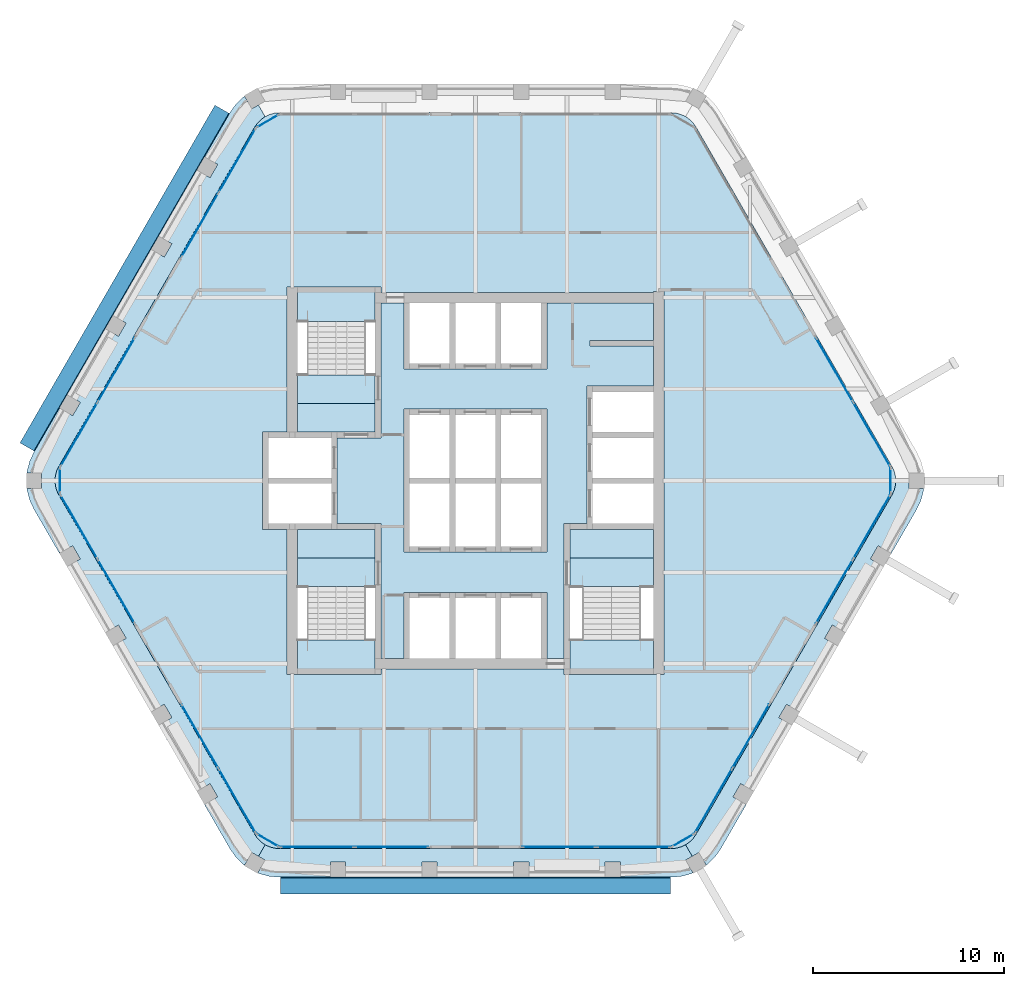
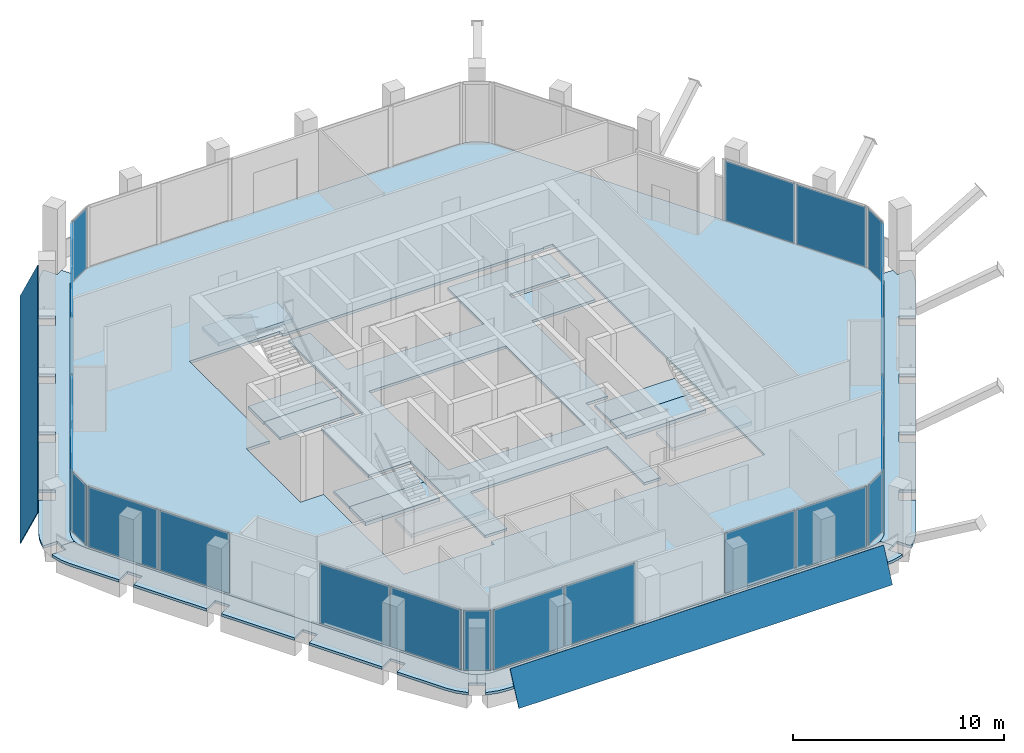
# One storey, part 6 of 14: 25 plates, 15 slabs, 17 elements without a shape of their own.
"""IFC4 building model written with IfcOpenShell, lengths in metres."""

from ifc_helpers import new_model, si_unit, direction, frame, origin, origin_2d, place, context, subcontext, project, spatial, polyline, rectangle, outline, extrude, material, layer, layer_set, type_object, element, aggregate, save


model = new_model("IFC4")

# Units and contexts
model_context = context("Model", 3, precision=1e-05, world=origin(), true_north=direction((0.0, 1.0)))
body_context = subcontext(model_context, "Body", "Model", "MODEL_VIEW")
ifc_project = project(units=[si_unit("LENGTHUNIT", "METRE"), si_unit("AREAUNIT", "SQUARE_METRE"), si_unit("VOLUMEUNIT", "CUBIC_METRE"), si_unit("PLANEANGLEUNIT", "RADIAN"), si_unit("MASSUNIT", "GRAM", prefix="KILO")], contexts=[model_context])

# Site, building, storey
site_placement = place(None, origin())
site = spatial("IfcSite", under=ifc_project, at=site_placement, CompositionType="ELEMENT")
building_placement = place(site_placement, origin())
building = spatial("IfcBuilding", under=site, at=building_placement, Name="Kolab Exchange Tower", CompositionType="ELEMENT")
storey_placement = place(building_placement, frame((0.0, 0.0, 281.300048828125)))
storey = spatial("IfcBuildingStorey", under=building, at=storey_placement, Name="L63", CompositionType="ELEMENT", Elevation=281.300048828125)

# Slabs
ifc_material_1 = material(Name="Concrete C35/45", Category="concrete")
ifc_layer_1 = layer(ifc_material_1, 0.14990234375)
ifc_layer_set_1 = layer_set([ifc_layer_1], Name="Concrete C35/45")
slab_type_1 = type_object("IfcSlabType", Name="FLOOR SLAB 150", PredefinedType="FLOOR", material=ifc_layer_set_1)
slab_1_placement = place(storey_placement, frame((0.0, 0.0, -0.150146484375)))
element("IfcSlab", 1, at=slab_1_placement, inside=storey, type_object=slab_type_1, Name="slab/L63/floor/0", PredefinedType="FLOOR", context=body_context, shape_type="SweptSolid", body=[
    extrude(outline(polyline([(11.56689453125, -18.53466796875), (21.8349609375, -0.75), (21.945556640625, -0.512939453125), (22.01318359375, -0.260498046875), (22.035888671875, 0.0), (22.01318359375, 0.260498046875), (21.945556640625, 0.512939453125), (21.8349609375, 0.75), (11.56689453125, 18.53466796875), (11.4169921875, 18.748779296875), (11.232177734375, 18.93359375), (11.01806640625, 19.083740234375), (10.781005859375, 19.194091796875), (10.5283203125, 19.26171875), (10.26806640625, 19.28466796875), (-10.26806640625, 19.28466796875), (-10.5283203125, 19.26171875), (-10.781005859375, 19.194091796875), (-11.01806640625, 19.083740234375), (-11.232177734375, 18.93359375), (-11.4169921875, 18.748779296875), (-11.56689453125, 18.53466796875), (-21.8349609375, 0.75), (-21.945556640625, 0.512939453125), (-22.01318359375, 0.260498046875), (-22.035888671875, 0.0), (-22.01318359375, -0.260498046875), (-21.945556640625, -0.512939453125), (-21.8349609375, -0.75), (-11.56689453125, -18.53466796875), (-11.4169921875, -18.748779296875), (-11.232177734375, -18.93359375), (-11.01806640625, -19.083740234375), (-10.781005859375, -19.194091796875), (-10.5283203125, -19.26171875), (-10.26806640625, -19.28466796875), (10.26806640625, -19.28466796875), (10.5283203125, -19.26171875), (10.781005859375, -19.194091796875), (11.01806640625, -19.083740234375), (11.232177734375, -18.93359375), (11.4169921875, -18.748779296875), (11.56689453125, -18.53466796875)]), holes=[polyline([(-9.324951171875, -10.14990234375), (-9.875, -10.14990234375), (-9.875, -2.550048828125), (-10.85009765625, -2.550048828125), (-11.14990234375, -2.550048828125), (-11.14990234375, 2.550048828125), (-10.85009765625, 2.550048828125), (-9.875, 2.550048828125), (-9.875, 10.14990234375), (-9.324951171875, 10.14990234375), (-5.25, 10.14990234375), (-4.949951171875, 10.14990234375), (-4.949951171875, 9.875), (9.324951171875, 9.875), (9.324951171875, 9.925048828125), (9.875, 9.925048828125), (9.875, -10.14990234375), (9.324951171875, -10.14990234375), (4.949951171875, -10.14990234375), (4.64990234375, -10.14990234375), (4.64990234375, -9.875), (-4.949951171875, -9.875), (-4.949951171875, -10.14990234375), (-5.25, -10.14990234375), (-9.324951171875, -10.14990234375)])]), origin(), (0.0, 0.0, 1.0), 0.150146484375),
])
slab_2_placement = place(storey_placement, frame((0.0, 0.0, -0.150146484375)))
element("IfcSlab", 2, at=slab_2_placement, inside=storey, type_object=slab_type_1, Name="slab/L63/floor/1", PredefinedType="FLOOR", context=body_context, shape_type="SweptSolid", body=[
    extrude(outline(polyline([(-4.949951171875, 9.324951171875), (-4.949951171875, 2.25), (-5.25, 2.25), (-7.25, 2.25), (-7.25, -2.25), (-5.25, -2.25), (-4.949951171875, -2.25), (-4.949951171875, -9.324951171875), (-3.75, -9.324951171875), (-3.75, -5.85009765625), (-3.449951171875, -5.85009765625), (-1.35009765625, -5.85009765625), (-1.050048828125, -5.85009765625), (1.050048828125, -5.85009765625), (1.35009765625, -5.85009765625), (3.449951171875, -5.85009765625), (3.75, -5.85009765625), (3.75, -9.324951171875), (4.64990234375, -9.324951171875), (4.64990234375, -2.25), (4.949951171875, -2.25), (5.85009765625, -2.25), (5.85009765625, 4.949951171875), (6.14990234375, 4.949951171875), (9.324951171875, 4.949951171875), (9.324951171875, 7.050048828125), (6.0, 7.050048828125), (6.0, 7.35009765625), (9.324951171875, 7.35009765625), (9.324951171875, 9.324951171875), (3.75, 9.324951171875), (3.75, 5.85009765625), (3.449951171875, 5.85009765625), (1.35009765625, 5.85009765625), (1.050048828125, 5.85009765625), (-1.050048828125, 5.85009765625), (-1.35009765625, 5.85009765625), (-3.449951171875, 5.85009765625), (-3.75, 5.85009765625), (-3.75, 9.324951171875), (-4.949951171875, 9.324951171875)]), holes=[polyline([(-3.449951171875, -3.75), (-3.75, -3.75), (-3.75, 3.75), (-3.449951171875, 3.75), (-1.35009765625, 3.75), (-1.050048828125, 3.75), (1.050048828125, 3.75), (1.35009765625, 3.75), (3.449951171875, 3.75), (3.75, 3.75), (3.75, -3.75), (3.449951171875, -3.75), (1.35009765625, -3.75), (1.050048828125, -3.75), (-1.050048828125, -3.75), (-1.35009765625, -3.75), (-3.449951171875, -3.75)])]), origin(), (0.0, 0.0, 1.0), 0.150146484375),
])
slab_3_placement = place(storey_placement, frame((0.0, 0.0, -0.150146484375)))
element("IfcSlab", 3, at=slab_3_placement, inside=storey, type_object=slab_type_1, Name="slab/L63/floor/2", PredefinedType="FLOOR", context=body_context, shape_type="SweptSolid", body=[
    extrude(outline(polyline([(4.949951171875, -2.550048828125), (4.949951171875, -4.050048828125), (9.324951171875, -4.050048828125), (9.324951171875, -2.550048828125), (6.14990234375, -2.550048828125), (5.85009765625, -2.550048828125), (4.949951171875, -2.550048828125)])), origin(), (0.0, 0.0, 1.0), 0.150146484375),
])
slab_4_placement = place(storey_placement, frame((0.0, 0.0, -0.150146484375)))
element("IfcSlab", 4, at=slab_4_placement, inside=storey, type_object=slab_type_1, Name="slab/L63/floor/3", PredefinedType="FLOOR", context=body_context, shape_type="SweptSolid", body=[
    extrude(outline(polyline([(-7.550048828125, -2.550048828125), (-9.324951171875, -2.550048828125), (-9.324951171875, -4.050048828125), (-5.25, -4.050048828125), (-5.25, -2.550048828125), (-7.25, -2.550048828125), (-7.550048828125, -2.550048828125)])), origin(), (0.0, 0.0, 1.0), 0.150146484375),
])
slab_5_placement = place(storey_placement, frame((0.0, 0.0, -0.150146484375)))
element("IfcSlab", 5, at=slab_5_placement, inside=storey, type_object=slab_type_1, Name="slab/L63/floor/4", PredefinedType="FLOOR", context=body_context, shape_type="SweptSolid", body=[
    extrude(outline(polyline([(-9.324951171875, 4.050048828125), (-9.324951171875, 2.550048828125), (-7.550048828125, 2.550048828125), (-7.25, 2.550048828125), (-5.25, 2.550048828125), (-5.25, 4.050048828125), (-9.324951171875, 4.050048828125)])), origin(), (0.0, 0.0, 1.0), 0.150146484375),
])
ifc_layer_2 = layer(ifc_material_1, 0.14990234375)
ifc_layer_set_2 = layer_set([ifc_layer_2], Name="Concrete C35/45")
slab_type_2 = type_object("IfcSlabType", Name="LOGGIA SLAB 150", PredefinedType="FLOOR", material=ifc_layer_set_2)
slab_6_placement = place(storey_placement, frame((0.0, 0.0, -0.150146484375)))
element("IfcSlab", 6, at=slab_6_placement, inside=storey, type_object=slab_type_2, Name="slab/L63/loggia/2-0", PredefinedType="FLOOR", context=body_context, shape_type="SweptSolid", body=[
    extrude(outline(polyline([(12.865966796875, -19.28466796875), (14.199951171875, -16.97412109375), (13.507080078125, -16.57421875), (13.9072265625, -15.88134765625), (14.60009765625, -16.28125), (16.60009765625, -12.817138671875), (15.9072265625, -12.417236328125), (16.30712890625, -11.724365234375), (17.0, -12.124267578125), (19.0, -8.66015625), (18.30712890625, -8.26025390625), (18.707275390625, -7.5673828125), (19.39990234375, -7.967529296875), (21.39990234375, -4.50341796875), (20.707275390625, -4.103271484375), (21.107177734375, -3.410400390625), (21.800048828125, -3.810546875), (23.134033203125, -1.5), (23.35498046875, -1.026123046875), (23.490234375, -0.52099609375), (23.5009765625, -0.39990234375), (22.73583984375, -0.39990234375), (22.73583984375, 0.0), (22.035888671875, 0.0), (22.01318359375, -0.260498046875), (21.945556640625, -0.512939453125), (21.8349609375, -0.75), (11.56689453125, -18.53466796875), (11.4169921875, -18.748779296875), (11.232177734375, -18.93359375), (11.01806640625, -19.083740234375), (11.367919921875, -19.68994140625), (11.71435546875, -19.48974609375), (12.096923828125, -20.15234375), (12.1962890625, -20.082763671875), (12.566162109375, -19.712890625), (12.865966796875, -19.28466796875)])), origin(), (0.0, 0.0, 1.0), 0.150146484375),
])
slab_7_placement = place(storey_placement, frame((0.0, 0.0, -0.150146484375)))
element("IfcSlab", 7, at=slab_7_placement, inside=storey, type_object=slab_type_2, Name="slab/L63/loggia/3-0", PredefinedType="FLOOR", context=body_context, shape_type="SweptSolid", body=[
    extrude(outline(polyline([(-11.01806640625, -19.083740234375), (-11.367919921875, -19.68994140625), (-11.021484375, -19.889892578125), (-11.404052734375, -20.552490234375), (-11.2939453125, -20.603759765625), (-10.788818359375, -20.739013671875), (-10.26806640625, -20.78466796875), (-7.60009765625, -20.78466796875), (-7.60009765625, -19.984619140625), (-6.800048828125, -19.984619140625), (-6.800048828125, -20.78466796875), (-2.800048828125, -20.78466796875), (-2.800048828125, -19.984619140625), (-2.0, -19.984619140625), (-2.0, -20.78466796875), (2.0, -20.78466796875), (2.0, -19.984619140625), (2.800048828125, -19.984619140625), (2.800048828125, -20.78466796875), (6.800048828125, -20.78466796875), (6.800048828125, -19.984619140625), (7.60009765625, -19.984619140625), (7.60009765625, -20.78466796875), (10.26806640625, -20.78466796875), (10.788818359375, -20.739013671875), (11.2939453125, -20.603759765625), (11.404052734375, -20.552490234375), (11.021484375, -19.889892578125), (11.367919921875, -19.68994140625), (11.01806640625, -19.083740234375), (10.781005859375, -19.194091796875), (10.5283203125, -19.26171875), (10.26806640625, -19.28466796875), (-10.26806640625, -19.28466796875), (-10.5283203125, -19.26171875), (-10.781005859375, -19.194091796875), (-11.01806640625, -19.083740234375)])), origin(), (0.0, 0.0, 1.0), 0.150146484375),
])
slab_8_placement = place(storey_placement, frame((0.0, 0.0, -0.150146484375)))
element("IfcSlab", 8, at=slab_8_placement, inside=storey, type_object=slab_type_2, Name="slab/L63/loggia/4-0", PredefinedType="FLOOR", context=body_context, shape_type="SweptSolid", body=[
    extrude(outline(polyline([(-22.035888671875, 0.0), (-22.73583984375, 0.0), (-22.73583984375, -0.39990234375), (-23.5009765625, -0.39990234375), (-23.490234375, -0.52099609375), (-23.35498046875, -1.026123046875), (-23.134033203125, -1.5), (-21.800048828125, -3.810546875), (-21.107177734375, -3.410400390625), (-20.707275390625, -4.103271484375), (-21.39990234375, -4.50341796875), (-19.39990234375, -7.967529296875), (-18.707275390625, -7.5673828125), (-18.30712890625, -8.26025390625), (-19.0, -8.66015625), (-17.0, -12.124267578125), (-16.30712890625, -11.724365234375), (-15.9072265625, -12.417236328125), (-16.60009765625, -12.817138671875), (-14.60009765625, -16.28125), (-13.9072265625, -15.88134765625), (-13.507080078125, -16.57421875), (-14.199951171875, -16.97412109375), (-12.865966796875, -19.28466796875), (-12.566162109375, -19.712890625), (-12.1962890625, -20.082763671875), (-12.096923828125, -20.15234375), (-11.71435546875, -19.48974609375), (-11.367919921875, -19.68994140625), (-11.01806640625, -19.083740234375), (-11.232177734375, -18.93359375), (-11.4169921875, -18.748779296875), (-11.56689453125, -18.53466796875), (-21.8349609375, -0.75), (-21.945556640625, -0.512939453125), (-22.01318359375, -0.260498046875), (-22.035888671875, 0.0)])), origin(), (0.0, 0.0, 1.0), 0.150146484375),
])
slab_9_placement = place(storey_placement, frame((0.0, 0.0, -0.150146484375)))
element("IfcSlab", 9, at=slab_9_placement, inside=storey, type_object=slab_type_2, Name="slab/L63/loggia/5-0", PredefinedType="FLOOR", context=body_context, shape_type="SweptSolid", body=[
    extrude(outline(polyline([(-11.01806640625, 19.083740234375), (-11.367919921875, 19.68994140625), (-11.71435546875, 19.48974609375), (-12.096923828125, 20.15234375), (-12.1962890625, 20.082763671875), (-12.566162109375, 19.712890625), (-12.865966796875, 19.28466796875), (-14.199951171875, 16.97412109375), (-13.507080078125, 16.57421875), (-13.9072265625, 15.88134765625), (-14.60009765625, 16.28125), (-16.60009765625, 12.817138671875), (-15.9072265625, 12.417236328125), (-16.30712890625, 11.724365234375), (-17.0, 12.124267578125), (-19.0, 8.66015625), (-18.30712890625, 8.26025390625), (-18.707275390625, 7.5673828125), (-19.39990234375, 7.967529296875), (-21.39990234375, 4.50341796875), (-20.707275390625, 4.103271484375), (-21.107177734375, 3.410400390625), (-21.800048828125, 3.810546875), (-23.134033203125, 1.5), (-23.35498046875, 1.026123046875), (-23.490234375, 0.52099609375), (-23.5009765625, 0.39990234375), (-22.73583984375, 0.39990234375), (-22.73583984375, 0.0), (-22.035888671875, 0.0), (-22.01318359375, 0.260498046875), (-21.945556640625, 0.512939453125), (-21.8349609375, 0.75), (-11.56689453125, 18.53466796875), (-11.4169921875, 18.748779296875), (-11.232177734375, 18.93359375), (-11.01806640625, 19.083740234375)])), origin(), (0.0, 0.0, 1.0), 0.150146484375),
])

# Plates
ifc_material_2 = material(Name="Laminated glass, clear", Category="glass")
ifc_layer_3 = layer(ifc_material_2, 0.0400390625)
ifc_layer_set_3 = layer_set([ifc_layer_3], Name="Laminated glass, clear")
plate_type_1 = type_object("IfcPlateType", Name="OUTER SKIN LAMINATED GLASS SHEET 40", PredefinedType="SHEET", material=ifc_layer_set_3)
plate_1_placement = place(storey_placement, frame((10.218017578125, -21.66015625, -0.68310546875), z_axis=(0.0, -0.906311853188, 0.422609541742), x_axis=(-1.0, 0.0, 0.0)))
element("IfcPlate", 10, at=plate_1_placement, inside=storey, type_object=plate_type_1, Name="Outer skin", PredefinedType="SHEET", context=body_context, shape_type="SweptSolid", body=[
    extrude(outline(polyline([(0.0, 0.0), (20.43603515625, 0.0), (20.43603515625, -1.9861252192534886), (0.0, -1.9861252192534886), (0.0, 0.0)])), origin(), (0.0, 0.0, -1.0), 0.0400390625),
])
plate_2_placement = place(storey_placement, frame((-23.8671875, 1.981201171875, -0.68310546875), z_axis=(-0.784886322863, 0.453152182031, 0.422618693508), x_axis=(0.499997422494, 0.866026891901, -1.981408e-06)))
element("IfcPlate", 11, at=plate_2_placement, inside=storey, type_object=plate_type_1, Name="Outer skin", PredefinedType="SHEET", context=body_context, shape_type="SweptSolid", body=[
    extrude(outline(polyline([(0.0, 0.0), (20.435802623779963, 0.0), (20.435870369896403, -1.9861792489881698), (-5.4323566790471804e-05, -1.9860898935068518), (0.0, 0.0)])), origin(), (0.0, 0.0, -1.0), 0.0400390625),
])

# Stair, slabs
ifc_material_3 = material(Name="Concrete C50/60", Category="concrete")
stair_type_1 = type_object("IfcStairType", Name="STAIR ST1 RISER 177.3", PredefinedType="HALF_TURN_STAIR", material=ifc_material_3)
stair_1_placement = place(storey_placement, origin())
stair_1 = element("IfcStair", 12, at=stair_1_placement, inside=storey, type_object=stair_type_1, Name="Stair 1", PredefinedType="HALF_TURN_STAIR")
ifc_layer_4 = layer(ifc_material_3, 0.199951171875)
ifc_layer_set_4 = layer_set([ifc_layer_4], Name="Concrete C50/60")
slab_type_3 = type_object("IfcSlabType", Name="STAIR LANDING 200", PredefinedType="LANDING", material=ifc_layer_set_4)
slab_10_placement = place(storey_placement, frame((0.0, 0.0, -0.199951171875)))
slab_10 = element("IfcSlab", 13, at=slab_10_placement, type_object=slab_type_3, Name="ST1 landing 1", PredefinedType="LANDING", context=body_context, shape_type="SweptSolid", body=[
    extrude(outline(polyline([(-9.324951171875, 4.050048828125), (-5.25, 4.050048828125), (-5.25, 5.550048828125), (-9.324951171875, 5.550048828125), (-9.324951171875, 4.050048828125)])), origin(), (0.0, 0.0, 1.0), 0.199951171875),
])
slab_11_placement = place(storey_placement, frame((0.0, 0.0, 1.75)))
slab_11 = element("IfcSlab", 14, at=slab_11_placement, type_object=slab_type_3, Name="ST1 landing 2", PredefinedType="LANDING", context=body_context, shape_type="SweptSolid", body=[
    extrude(outline(polyline([(-9.324951171875, 8.35009765625), (-5.25, 8.35009765625), (-5.25, 9.909912109375), (-9.324951171875, 9.909912109375), (-9.324951171875, 8.35009765625)])), origin(), (0.0, 0.0, 1.0), 0.199951171875),
])
aggregate(stair_1, [slab_10, slab_11])

stair_type_2 = type_object("IfcStairType", Name="STAIR ST3 RISER 177.3", PredefinedType="HALF_TURN_STAIR", material=ifc_material_3)
stair_2_placement = place(storey_placement, origin())
stair_2 = element("IfcStair", 15, at=stair_2_placement, inside=storey, type_object=stair_type_2, Name="Stair 3", PredefinedType="HALF_TURN_STAIR")
slab_12_placement = place(storey_placement, frame((0.0, 0.0, -0.199951171875)))
slab_12 = element("IfcSlab", 16, at=slab_12_placement, type_object=slab_type_3, Name="ST3 landing 1", PredefinedType="LANDING", context=body_context, shape_type="SweptSolid", body=[
    extrude(outline(polyline([(-9.324951171875, -5.550048828125), (-5.25, -5.550048828125), (-5.25, -4.050048828125), (-9.324951171875, -4.050048828125), (-9.324951171875, -5.550048828125)])), origin(), (0.0, 0.0, 1.0), 0.199951171875),
])
slab_13_placement = place(storey_placement, frame((0.0, 0.0, 1.75)))
slab_13 = element("IfcSlab", 17, at=slab_13_placement, type_object=slab_type_3, Name="ST3 landing 2", PredefinedType="LANDING", context=body_context, shape_type="SweptSolid", body=[
    extrude(outline(polyline([(-9.324951171875, -9.909912109375), (-5.25, -9.909912109375), (-5.25, -8.35009765625), (-9.324951171875, -8.35009765625), (-9.324951171875, -9.909912109375)])), origin(), (0.0, 0.0, 1.0), 0.199951171875),
])
aggregate(stair_2, [slab_12, slab_13])

stair_type_3 = type_object("IfcStairType", Name="STAIR ST2 RISER 177.3", PredefinedType="HALF_TURN_STAIR", material=ifc_material_3)
stair_3_placement = place(storey_placement, origin())
stair_3 = element("IfcStair", 18, at=stair_3_placement, inside=storey, type_object=stair_type_3, Name="Stair 2", PredefinedType="HALF_TURN_STAIR")
slab_14_placement = place(storey_placement, frame((0.0, 0.0, -0.199951171875)))
slab_14 = element("IfcSlab", 19, at=slab_14_placement, type_object=slab_type_3, Name="ST2 landing 1", PredefinedType="LANDING", context=body_context, shape_type="SweptSolid", body=[
    extrude(outline(polyline([(4.949951171875, -5.550048828125), (9.324951171875, -5.550048828125), (9.324951171875, -4.050048828125), (4.949951171875, -4.050048828125), (4.949951171875, -5.550048828125)])), origin(), (0.0, 0.0, 1.0), 0.199951171875),
])
slab_15_placement = place(storey_placement, frame((0.0, 0.0, 1.75)))
slab_15 = element("IfcSlab", 20, at=slab_15_placement, type_object=slab_type_3, Name="ST2 landing 2", PredefinedType="LANDING", context=body_context, shape_type="SweptSolid", body=[
    extrude(outline(polyline([(4.949951171875, -9.909912109375), (9.324951171875, -9.909912109375), (9.324951171875, -8.35009765625), (4.949951171875, -8.35009765625), (4.949951171875, -9.909912109375)])), origin(), (0.0, 0.0, 1.0), 0.199951171875),
])
aggregate(stair_3, [slab_14, slab_15])

# Curtain wall, plates
ifc_material_4 = material(Name="Aluminium EN AW-6063 T6", Category="aluminium")
curtain_wall_type = type_object("IfcCurtainWallType", Name="UNITISED HIGH ZONE CURTAIN WALL", PredefinedType="NOTDEFINED", material=ifc_material_4)
curtain_wall_1_placement = place(storey_placement, origin())
curtain_wall_1 = element("IfcCurtainWall", 21, at=curtain_wall_1_placement, inside=storey, type_object=curtain_wall_type, Name="cw/L63/F2-2", PredefinedType="NOTDEFINED")
ifc_material_5 = material(Name="Clear insulated glazing unit", Category="glass")
ifc_layer_5 = layer(ifc_material_5, 0.030029296875)
ifc_layer_set_5 = layer_set([ifc_layer_5], Name="Clear insulated glazing unit")
plate_type_2 = type_object("IfcPlateType", Name="UNITISED HIGH ZONE GLASS PANEL 30", PredefinedType="CURTAIN_PANEL", material=ifc_layer_set_5)
plate_3_placement = place(storey_placement, frame((18.82275390625, 5.807373046875, 0.06005859375), z_axis=(0.0, 0.0, 1.0), x_axis=(0.499999936366, -0.866025440524, 0.0)))
plate_3 = element("IfcPlate", 22, at=plate_3_placement, type_object=plate_type_2, Name="CW4 panel 1.1", PredefinedType="CURTAIN_PANEL", context=body_context, shape_type="SweptSolid", body=[
    extrude(rectangle(XDim=3.843994140625, YDim=0.030029296875, at=origin_2d()), origin(), (0.0, 0.0, 1.0), 3.47998046875),
])
plate_4_placement = place(storey_placement, frame((20.774658203125, 2.426513671875, 0.06005859375), z_axis=(0.0, 0.0, 1.0), x_axis=(0.499999936366, -0.866025440524, 0.0)))
plate_4 = element("IfcPlate", 23, at=plate_4_placement, type_object=plate_type_2, Name="CW4 panel 2.1", PredefinedType="CURTAIN_PANEL", context=body_context, shape_type="SweptSolid", body=[
    extrude(rectangle(XDim=3.843994140625, YDim=0.030029296875, at=origin_2d()), origin(), (0.0, 0.0, 1.0), 3.47998046875),
])
aggregate(curtain_wall_1, [plate_3, plate_4])

curtain_wall_2_placement = place(storey_placement, origin())
curtain_wall_2 = element("IfcCurtainWall", 24, at=curtain_wall_2_placement, inside=storey, type_object=curtain_wall_type, Name="cw/L63/F3-1", PredefinedType="NOTDEFINED")
plate_5_placement = place(storey_placement, frame((20.774658203125, -2.426513671875, 0.06005859375), z_axis=(0.0, 0.0, 1.0), x_axis=(-0.499999936366, -0.866025440524, 0.0)))
plate_5 = element("IfcPlate", 25, at=plate_5_placement, type_object=plate_type_2, Name="CW4 panel 1.1", PredefinedType="CURTAIN_PANEL", context=body_context, shape_type="SweptSolid", body=[
    extrude(rectangle(XDim=3.843994140625, YDim=0.030029296875, at=origin_2d()), origin(), (0.0, 0.0, 1.0), 3.47998046875),
])
plate_6_placement = place(storey_placement, frame((18.82275390625, -5.807373046875, 0.06005859375), z_axis=(0.0, 0.0, 1.0), x_axis=(-0.499999936366, -0.866025440524, 0.0)))
plate_6 = element("IfcPlate", 26, at=plate_6_placement, type_object=plate_type_2, Name="CW4 panel 2.1", PredefinedType="CURTAIN_PANEL", context=body_context, shape_type="SweptSolid", body=[
    extrude(rectangle(XDim=3.843994140625, YDim=0.030029296875, at=origin_2d()), origin(), (0.0, 0.0, 1.0), 3.47998046875),
])
aggregate(curtain_wall_2, [plate_5, plate_6])

curtain_wall_3_placement = place(storey_placement, origin())
curtain_wall_3 = element("IfcCurtainWall", 27, at=curtain_wall_3_placement, inside=storey, type_object=curtain_wall_type, Name="cw/L63/F3-2", PredefinedType="NOTDEFINED")
plate_7_placement = place(storey_placement, frame((14.440673828125, -13.397216796875, 0.06005859375), z_axis=(0.0, 0.0, 1.0), x_axis=(-0.500000031681, -0.866025385493, 0.0)))
plate_7 = element("IfcPlate", 28, at=plate_7_placement, type_object=plate_type_2, Name="CW4 panel 1.1", PredefinedType="CURTAIN_PANEL", context=body_context, shape_type="SweptSolid", body=[
    extrude(rectangle(XDim=3.843994140625, YDim=0.030029296875, at=origin_2d()), origin(), (0.0, 0.0, 1.0), 3.47998046875),
])
plate_8_placement = place(storey_placement, frame((12.48876953125, -16.778076171875, 0.06005859375), z_axis=(0.0, 0.0, 1.0), x_axis=(-0.500000031681, -0.866025385493, 0.0)))
plate_8 = element("IfcPlate", 29, at=plate_8_placement, type_object=plate_type_2, Name="CW4 panel 2.1", PredefinedType="CURTAIN_PANEL", context=body_context, shape_type="SweptSolid", body=[
    extrude(rectangle(XDim=3.843994140625, YDim=0.030029296875, at=origin_2d()), origin(), (0.0, 0.0, 1.0), 3.47998046875),
])
aggregate(curtain_wall_3, [plate_7, plate_8])

curtain_wall_4_placement = place(storey_placement, origin())
curtain_wall_4 = element("IfcCurtainWall", 30, at=curtain_wall_4_placement, inside=storey, type_object=curtain_wall_type, Name="cw/L63/F4-1", PredefinedType="NOTDEFINED")
plate_9_placement = place(storey_placement, frame((8.285888671875, -19.20458984375, 0.06005859375), z_axis=(0.0, 0.0, 1.0), x_axis=(-1.0, 0.0, 0.0)))
plate_9 = element("IfcPlate", 31, at=plate_9_placement, type_object=plate_type_2, Name="CW4 panel 1.1", PredefinedType="CURTAIN_PANEL", context=body_context, shape_type="SweptSolid", body=[
    extrude(rectangle(XDim=3.843994140625, YDim=0.030029296875, at=origin_2d()), origin(), (0.0, 0.0, 1.0), 3.47998046875),
])
plate_10_placement = place(storey_placement, frame((4.382080078125, -19.20458984375, 0.06005859375), z_axis=(0.0, 0.0, 1.0), x_axis=(-1.0, 0.0, 0.0)))
plate_10 = element("IfcPlate", 32, at=plate_10_placement, type_object=plate_type_2, Name="CW4 panel 2.1", PredefinedType="CURTAIN_PANEL", context=body_context, shape_type="SweptSolid", body=[
    extrude(rectangle(XDim=3.843994140625, YDim=0.030029296875, at=origin_2d()), origin(), (0.0, 0.0, 1.0), 3.47998046875),
])
aggregate(curtain_wall_4, [plate_9, plate_10])

curtain_wall_5_placement = place(storey_placement, origin())
curtain_wall_5 = element("IfcCurtainWall", 33, at=curtain_wall_5_placement, inside=storey, type_object=curtain_wall_type, Name="cw/L63/F4-2", PredefinedType="NOTDEFINED")
plate_11_placement = place(storey_placement, frame((-4.382080078125, -19.20458984375, 0.06005859375), z_axis=(0.0, 0.0, 1.0), x_axis=(-1.0, 0.0, 0.0)))
plate_11 = element("IfcPlate", 34, at=plate_11_placement, type_object=plate_type_2, Name="CW4 panel 1.1", PredefinedType="CURTAIN_PANEL", context=body_context, shape_type="SweptSolid", body=[
    extrude(rectangle(XDim=3.843994140625, YDim=0.030029296875, at=origin_2d()), origin(), (0.0, 0.0, 1.0), 3.47998046875),
])
plate_12_placement = place(storey_placement, frame((-8.285888671875, -19.20458984375, 0.06005859375), z_axis=(0.0, 0.0, 1.0), x_axis=(-1.0, 0.0, 0.0)))
plate_12 = element("IfcPlate", 35, at=plate_12_placement, type_object=plate_type_2, Name="CW4 panel 2.1", PredefinedType="CURTAIN_PANEL", context=body_context, shape_type="SweptSolid", body=[
    extrude(rectangle(XDim=3.843994140625, YDim=0.030029296875, at=origin_2d()), origin(), (0.0, 0.0, 1.0), 3.47998046875),
])
aggregate(curtain_wall_5, [plate_11, plate_12])

curtain_wall_6_placement = place(storey_placement, origin())
curtain_wall_6 = element("IfcCurtainWall", 36, at=curtain_wall_6_placement, inside=storey, type_object=curtain_wall_type, Name="cw/L63/F5-1", PredefinedType="NOTDEFINED")
plate_13_placement = place(storey_placement, frame((-12.48876953125, -16.778076171875, 0.06005859375), z_axis=(0.0, 0.0, 1.0), x_axis=(-0.500000031681, 0.866025385493, 0.0)))
plate_13 = element("IfcPlate", 37, at=plate_13_placement, type_object=plate_type_2, Name="CW4 panel 1.1", PredefinedType="CURTAIN_PANEL", context=body_context, shape_type="SweptSolid", body=[
    extrude(rectangle(XDim=3.843994140625, YDim=0.030029296875, at=origin_2d()), origin(), (0.0, 0.0, 1.0), 3.47998046875),
])
plate_14_placement = place(storey_placement, frame((-14.440673828125, -13.397216796875, 0.06005859375), z_axis=(0.0, 0.0, 1.0), x_axis=(-0.500000031681, 0.866025385493, 0.0)))
plate_14 = element("IfcPlate", 38, at=plate_14_placement, type_object=plate_type_2, Name="CW4 panel 2.1", PredefinedType="CURTAIN_PANEL", context=body_context, shape_type="SweptSolid", body=[
    extrude(rectangle(XDim=3.843994140625, YDim=0.030029296875, at=origin_2d()), origin(), (0.0, 0.0, 1.0), 3.47998046875),
])
aggregate(curtain_wall_6, [plate_13, plate_14])

curtain_wall_7_placement = place(storey_placement, origin())
curtain_wall_7 = element("IfcCurtainWall", 39, at=curtain_wall_7_placement, inside=storey, type_object=curtain_wall_type, Name="cw/L63/F5-2", PredefinedType="NOTDEFINED")
plate_15_placement = place(storey_placement, frame((-18.82275390625, -5.807373046875, 0.06005859375), z_axis=(0.0, 0.0, 1.0), x_axis=(-0.499999936366, 0.866025440524, 0.0)))
plate_15 = element("IfcPlate", 40, at=plate_15_placement, type_object=plate_type_2, Name="CW4 panel 1.1", PredefinedType="CURTAIN_PANEL", context=body_context, shape_type="SweptSolid", body=[
    extrude(rectangle(XDim=3.843994140625, YDim=0.030029296875, at=origin_2d()), origin(), (0.0, 0.0, 1.0), 3.47998046875),
])
plate_16_placement = place(storey_placement, frame((-20.774658203125, -2.426513671875, 0.06005859375), z_axis=(0.0, 0.0, 1.0), x_axis=(-0.499999936366, 0.866025440524, 0.0)))
plate_16 = element("IfcPlate", 41, at=plate_16_placement, type_object=plate_type_2, Name="CW4 panel 2.1", PredefinedType="CURTAIN_PANEL", context=body_context, shape_type="SweptSolid", body=[
    extrude(rectangle(XDim=3.843994140625, YDim=0.030029296875, at=origin_2d()), origin(), (0.0, 0.0, 1.0), 3.47998046875),
])
aggregate(curtain_wall_7, [plate_15, plate_16])

curtain_wall_8_placement = place(storey_placement, origin())
curtain_wall_8 = element("IfcCurtainWall", 42, at=curtain_wall_8_placement, inside=storey, type_object=curtain_wall_type, Name="cw/L63/F6-1", PredefinedType="NOTDEFINED")
plate_17_placement = place(storey_placement, frame((-20.774658203125, 2.426513671875, 0.06005859375), z_axis=(0.0, 0.0, 1.0), x_axis=(0.499999936366, 0.866025440524, 0.0)))
plate_17 = element("IfcPlate", 43, at=plate_17_placement, type_object=plate_type_2, Name="CW4 panel 1.1", PredefinedType="CURTAIN_PANEL", context=body_context, shape_type="SweptSolid", body=[
    extrude(rectangle(XDim=3.843994140625, YDim=0.030029296875, at=origin_2d()), origin(), (0.0, 0.0, 1.0), 3.47998046875),
])
plate_18_placement = place(storey_placement, frame((-18.82275390625, 5.807373046875, 0.06005859375), z_axis=(0.0, 0.0, 1.0), x_axis=(0.499999936366, 0.866025440524, 0.0)))
plate_18 = element("IfcPlate", 44, at=plate_18_placement, type_object=plate_type_2, Name="CW4 panel 2.1", PredefinedType="CURTAIN_PANEL", context=body_context, shape_type="SweptSolid", body=[
    extrude(rectangle(XDim=3.843994140625, YDim=0.030029296875, at=origin_2d()), origin(), (0.0, 0.0, 1.0), 3.47998046875),
])
aggregate(curtain_wall_8, [plate_17, plate_18])

curtain_wall_9_placement = place(storey_placement, origin())
curtain_wall_9 = element("IfcCurtainWall", 45, at=curtain_wall_9_placement, inside=storey, type_object=curtain_wall_type, Name="cw/L63/F6-2", PredefinedType="NOTDEFINED")
plate_19_placement = place(storey_placement, frame((-14.440673828125, 13.397216796875, 0.06005859375), z_axis=(0.0, 0.0, 1.0), x_axis=(0.500000031681, 0.866025385493, 0.0)))
plate_19 = element("IfcPlate", 46, at=plate_19_placement, type_object=plate_type_2, Name="CW4 panel 1.1", PredefinedType="CURTAIN_PANEL", context=body_context, shape_type="SweptSolid", body=[
    extrude(rectangle(XDim=3.843994140625, YDim=0.030029296875, at=origin_2d()), origin(), (0.0, 0.0, 1.0), 3.47998046875),
])
plate_20_placement = place(storey_placement, frame((-12.48876953125, 16.778076171875, 0.06005859375), z_axis=(0.0, 0.0, 1.0), x_axis=(0.500000031681, 0.866025385493, 0.0)))
plate_20 = element("IfcPlate", 47, at=plate_20_placement, type_object=plate_type_2, Name="CW4 panel 2.1", PredefinedType="CURTAIN_PANEL", context=body_context, shape_type="SweptSolid", body=[
    extrude(rectangle(XDim=3.843994140625, YDim=0.030029296875, at=origin_2d()), origin(), (0.0, 0.0, 1.0), 3.47998046875),
])
aggregate(curtain_wall_9, [plate_19, plate_20])

# Curtain wall, plate
curtain_wall_10_placement = place(storey_placement, origin())
curtain_wall_10 = element("IfcCurtainWall", 48, at=curtain_wall_10_placement, inside=storey, type_object=curtain_wall_type, Name="cw/L63/F2F3-corner", PredefinedType="NOTDEFINED")
plate_21_placement = place(storey_placement, frame((21.765625, 0.0, 0.06005859375), z_axis=(0.0, 0.0, 1.0), x_axis=(0.0, -1.0, 0.0)))
plate_21 = element("IfcPlate", 49, at=plate_21_placement, type_object=plate_type_2, Name="CW4 panel 1.1", PredefinedType="CURTAIN_PANEL", context=body_context, shape_type="SweptSolid", body=[
    extrude(rectangle(XDim=1.300048828125, YDim=0.030029296875, at=origin_2d()), origin(), (0.0, 0.0, 1.0), 3.47998046875),
])
aggregate(curtain_wall_10, [plate_21])

curtain_wall_11_placement = place(storey_placement, origin())
curtain_wall_11 = element("IfcCurtainWall", 50, at=curtain_wall_11_placement, inside=storey, type_object=curtain_wall_type, Name="cw/L63/F3F4-corner", PredefinedType="NOTDEFINED")
plate_22_placement = place(storey_placement, frame((10.8828125, -18.849609375, 0.06005859375), z_axis=(0.0, 0.0, 1.0), x_axis=(-0.866025390869, -0.50000002237, 0.0)))
plate_22 = element("IfcPlate", 51, at=plate_22_placement, type_object=plate_type_2, Name="CW4 panel 1.1", PredefinedType="CURTAIN_PANEL", context=body_context, shape_type="SweptSolid", body=[
    extrude(rectangle(XDim=1.300048828125, YDim=0.030029296875, at=origin_2d()), origin(), (0.0, 0.0, 1.0), 3.47998046875),
])
aggregate(curtain_wall_11, [plate_22])

curtain_wall_12_placement = place(storey_placement, origin())
curtain_wall_12 = element("IfcCurtainWall", 52, at=curtain_wall_12_placement, inside=storey, type_object=curtain_wall_type, Name="cw/L63/F4F5-corner", PredefinedType="NOTDEFINED")
plate_23_placement = place(storey_placement, frame((-10.8828125, -18.849609375, 0.06005859375), z_axis=(0.0, 0.0, 1.0), x_axis=(-0.866025390869, 0.50000002237, 0.0)))
plate_23 = element("IfcPlate", 53, at=plate_23_placement, type_object=plate_type_2, Name="CW4 panel 1.1", PredefinedType="CURTAIN_PANEL", context=body_context, shape_type="SweptSolid", body=[
    extrude(rectangle(XDim=1.300048828125, YDim=0.030029296875, at=origin_2d()), origin(), (0.0, 0.0, 1.0), 3.47998046875),
])
aggregate(curtain_wall_12, [plate_23])

curtain_wall_13_placement = place(storey_placement, origin())
curtain_wall_13 = element("IfcCurtainWall", 54, at=curtain_wall_13_placement, inside=storey, type_object=curtain_wall_type, Name="cw/L63/F5F6-corner", PredefinedType="NOTDEFINED")
plate_24_placement = place(storey_placement, frame((-21.765625, 0.0, 0.06005859375), z_axis=(0.0, 0.0, 1.0), x_axis=(0.0, 1.0, 0.0)))
plate_24 = element("IfcPlate", 55, at=plate_24_placement, type_object=plate_type_2, Name="CW4 panel 1.1", PredefinedType="CURTAIN_PANEL", context=body_context, shape_type="SweptSolid", body=[
    extrude(rectangle(XDim=1.300048828125, YDim=0.030029296875, at=origin_2d()), origin(), (0.0, 0.0, 1.0), 3.47998046875),
])
aggregate(curtain_wall_13, [plate_24])

curtain_wall_14_placement = place(storey_placement, origin())
curtain_wall_14 = element("IfcCurtainWall", 56, at=curtain_wall_14_placement, inside=storey, type_object=curtain_wall_type, Name="cw/L63/F6F1-corner", PredefinedType="NOTDEFINED")
plate_25_placement = place(storey_placement, frame((-10.8828125, 18.849609375, 0.06005859375), z_axis=(0.0, 0.0, 1.0), x_axis=(0.866025390869, 0.50000002237, 0.0)))
plate_25 = element("IfcPlate", 57, at=plate_25_placement, type_object=plate_type_2, Name="CW4 panel 1.1", PredefinedType="CURTAIN_PANEL", context=body_context, shape_type="SweptSolid", body=[
    extrude(rectangle(XDim=1.300048828125, YDim=0.030029296875, at=origin_2d()), origin(), (0.0, 0.0, 1.0), 3.47998046875),
])
aggregate(curtain_wall_14, [plate_25])

save(model, "model.ifc")
